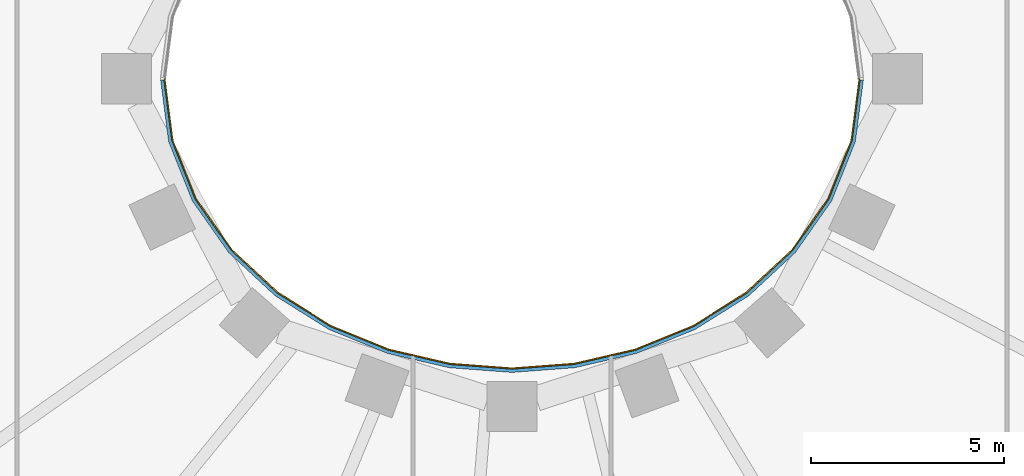
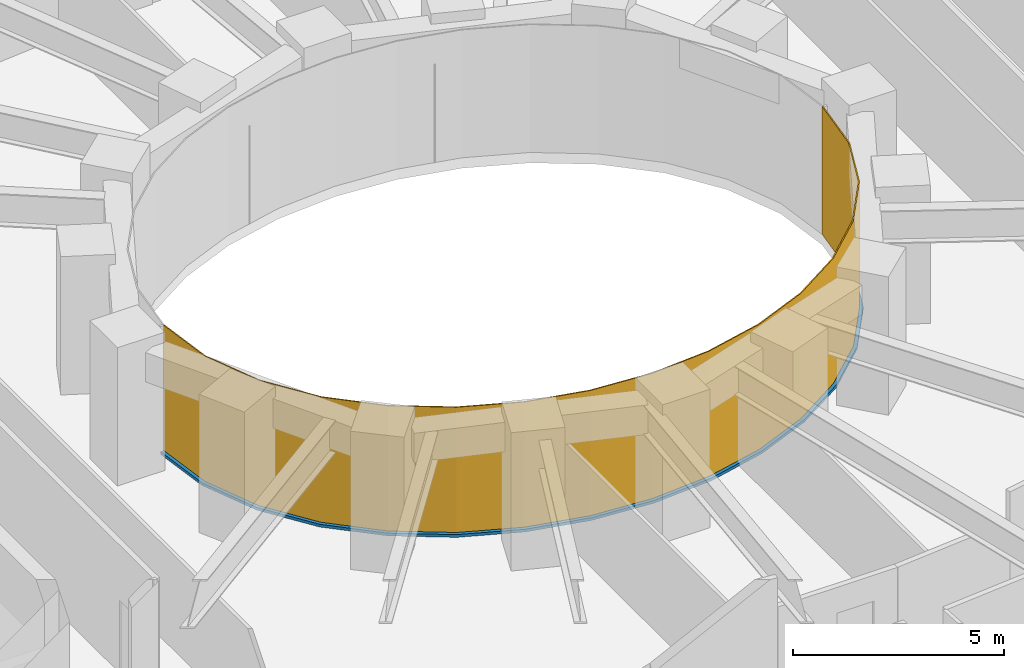
# One storey, part 10 of 16: 1 curtain wall, 1 member.
"""IFC4 building model written with IfcOpenShell, lengths in metres."""

from ifc_helpers import new_model, si_unit, direction, frame, origin, place, context, subcontext, project, spatial, polyline, outline, extrude, material, layer, layer_set, type_object, element, aggregate, save


model = new_model("IFC4")

# Units and contexts
model_context = context("Model", 3, precision=1e-05, world=origin(), true_north=direction((0.0, 1.0)))
body_context = subcontext(model_context, "Body", "Model", "MODEL_VIEW")
ifc_project = project(units=[si_unit("LENGTHUNIT", "METRE"), si_unit("AREAUNIT", "SQUARE_METRE"), si_unit("VOLUMEUNIT", "CUBIC_METRE"), si_unit("PLANEANGLEUNIT", "RADIAN"), si_unit("MASSUNIT", "GRAM", prefix="KILO")], contexts=[model_context])

# Member
ifc_material_1 = material(Name="Steel S355 fire-resisting frame", Category="steel")
member_type = type_object("IfcMemberType", Name="ENV-TRANSOM-W", PredefinedType="USERDEFINED", material=ifc_material_1)
site_placement = place(None, origin())
building_placement = place(site_placement, origin())
storey_placement = place(building_placement, frame((0.0, 0.0, 70.5)))
member_placement = place(storey_placement, origin())
member = element("IfcMember", 1, at=member_placement, type_object=member_type, Name="Transom W well 17-01", ObjectType="TRANSOM", PredefinedType="USERDEFINED", context=body_context, shape_type="SweptSolid", body=[
    extrude(outline(polyline([(-9.119384765625, -0.02783203125), (-8.910400390625, -1.63623046875), (-8.29833984375, -3.167236328125), (-7.35107421875, -4.5146484375), (-6.1455078125, -5.6337890625), (-4.75341796875, -6.50634765625), (-3.233642578125, -7.127685546875), (-1.635498046875, -7.498779296875), (0.0, -7.622314453125), (1.635498046875, -7.498779296875), (3.233642578125, -7.127685546875), (4.75341796875, -6.50634765625), (6.1455078125, -5.6337890625), (7.35107421875, -4.5146484375), (8.29833984375, -3.167236328125), (8.910400390625, -1.63623046875), (9.119384765625, -0.02783203125), (9.02880859375, -0.02783203125), (8.822509765625, -1.61328125), (8.21875, -3.124267578125), (7.282958984375, -4.455078125), (6.090576171875, -5.56201171875), (4.712158203125, -6.426025390625), (3.206298828125, -7.04150390625), (1.621826171875, -7.40966796875), (0.0, -7.531982421875), (-1.621826171875, -7.40966796875), (-3.206298828125, -7.04150390625), (-4.712158203125, -6.426025390625), (-6.090576171875, -5.56201171875), (-7.282958984375, -4.455078125), (-8.21875, -3.124267578125), (-8.822509765625, -1.61328125), (-9.02880859375, -0.02783203125), (-9.119384765625, -0.02783203125)])), origin(), (0.0, 0.0, 1.0), 0.080078125),
])

# Site, building, storey
site = spatial("IfcSite", under=ifc_project, at=site_placement, CompositionType="ELEMENT")
building = spatial("IfcBuilding", under=site, at=building_placement, Name="Noorbagh Ring Tower", CompositionType="ELEMENT")
storey = spatial("IfcBuildingStorey", under=building, at=storey_placement, Name="L15", CompositionType="ELEMENT", Elevation=70.5)

# Curtain wall
ifc_material_2 = material(Name="Glass fire-resisting E60 laminated", Category="glass")
ifc_layer = layer(ifc_material_2, 0.031982421875)
ifc_layer_set = layer_set([ifc_layer], Name="Glass fire-resisting E60 laminated")
curtain_wall_type = type_object("IfcCurtainWallType", Name="ENV-CW-W", PredefinedType="NOTDEFINED", material=ifc_layer_set)
curtain_wall_placement = place(storey_placement, origin())
curtain_wall = element("IfcCurtainWall", 2, at=curtain_wall_placement, inside=storey, type_object=curtain_wall_type, Name="Curtain wall W W17", PredefinedType="NOTDEFINED", context=body_context, shape_type="SweptSolid", body=[
    extrude(outline(polyline([(-9.0322265625, 0.0), (-8.822509765625, -1.61328125), (-8.21875, -3.124267578125), (-7.282958984375, -4.455078125), (-6.090576171875, -5.56201171875), (-4.712158203125, -6.426025390625), (-3.206298828125, -7.04150390625), (-1.621826171875, -7.40966796875), (0.0, -7.531982421875), (1.621826171875, -7.40966796875), (3.206298828125, -7.04150390625), (4.712158203125, -6.426025390625), (6.090576171875, -5.56201171875), (7.282958984375, -4.455078125), (8.21875, -3.124267578125), (8.822509765625, -1.61328125), (9.0322265625, 0.0), (9.0, 0.0), (8.79150390625, -1.605224609375), (8.1904296875, -3.10888671875), (7.2587890625, -4.43408203125), (6.071044921875, -5.53662109375), (4.697509765625, -6.3974609375), (3.196533203125, -7.010986328125), (1.6171875, -7.3779296875), (0.0, -7.5), (-1.6171875, -7.3779296875), (-3.196533203125, -7.010986328125), (-4.697509765625, -6.3974609375), (-6.071044921875, -5.53662109375), (-7.2587890625, -4.43408203125), (-8.1904296875, -3.10888671875), (-8.79150390625, -1.605224609375), (-9.0, 0.0), (-9.0322265625, 0.0)])), origin(), (0.0, 0.0, 1.0), 3.699951171875),
])

aggregate(curtain_wall, [member])

save(model, "model.ifc")
